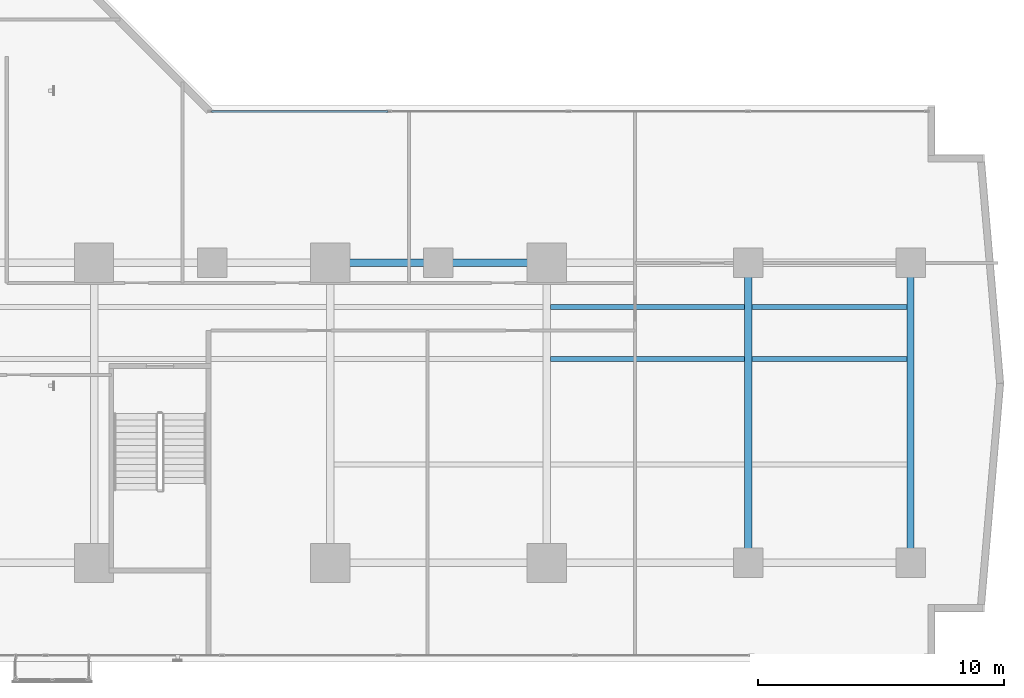
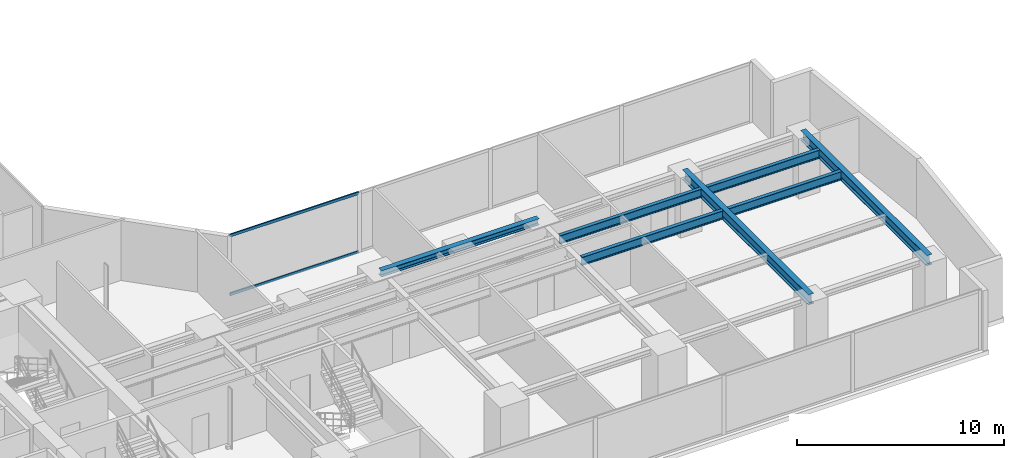
# One storey, part 12 of 26: 7 beams, 2 members, 1 element without a shape of its own.
"""IFC4 building model written with IfcOpenShell, lengths in metres."""

from ifc_helpers import new_model, si_unit, direction, frame, origin, origin_with_axes, origin_2d, place, context, subcontext, project, spatial, hollow_rectangle, i_section, extrude, source, transform, mapped, material, layer, layer_set, material_profile, profile_set, type_object, element, aggregate, save


model = new_model("IFC4")

# Units and contexts
model_context = context("Model", 3, precision=1e-05, world=origin(), true_north=direction((0.0, 1.0)))
body_context = subcontext(model_context, "Body", "Model", "MODEL_VIEW")
ifc_project = project(units=[si_unit("LENGTHUNIT", "METRE"), si_unit("AREAUNIT", "SQUARE_METRE"), si_unit("VOLUMEUNIT", "CUBIC_METRE"), si_unit("PLANEANGLEUNIT", "RADIAN"), si_unit("MASSUNIT", "GRAM", prefix="KILO")], contexts=[model_context])

# Site, building, storey
site_placement = place(None, origin())
site = spatial("IfcSite", under=ifc_project, at=site_placement, CompositionType="ELEMENT")
building_placement = place(site_placement, origin())
building = spatial("IfcBuilding", under=site, at=building_placement, Name="Kolvaren Waterfront Exchange", CompositionType="ELEMENT")
storey_placement = place(building_placement, frame((0.0, 0.0, 44.800048828125)))
storey = spatial("IfcBuildingStorey", under=building, at=storey_placement, Name="L11", CompositionType="ELEMENT", Elevation=44.800048828125)

# Beams
ifc_material_1 = material(Name="Steel S355", Category="steel")
ifc_material_profile_1 = material_profile(ifc_material_1, i_section(OverallWidth=0.300048828125, OverallDepth=0.360107421875, WebThickness=0.012451171875, FlangeThickness=0.0224609375, FilletRadius=0.027099609375, at=origin_2d()), Name="HEB360")
ifc_profile_set_1 = profile_set([ifc_material_profile_1], Name="Steel S355")
beam_type_1 = type_object("IfcBeamType", Name="STR-BM-HEB360", PredefinedType="SPANDREL", material=ifc_profile_set_1)
beam_placement = place(storey_placement, frame((36.800048828125, 17.39990234375, 3.35986328125), z_axis=(1.0, 0.0, 0.0), x_axis=(0.0, 1.0, 0.0)))
element("IfcBeam", 1, at=beam_placement, inside=storey, type_object=beam_type_1, Name="L11 east-arm spandrel N3", PredefinedType="SPANDREL", context=body_context, shape_type="SweptSolid", body=[
    extrude(i_section(OverallWidth=0.300048828125, OverallDepth=0.360107421875, WebThickness=0.012451171875, FlangeThickness=0.0224609375, FilletRadius=0.027099609375, at=origin_2d()), origin(), (0.0, 0.0, 1.0), 8.800048828125),
])
ifc_material_profile_2 = material_profile(ifc_material_1, i_section(OverallWidth=0.300048828125, OverallDepth=0.60009765625, WebThickness=0.015380859375, FlangeThickness=0.030029296875, FilletRadius=0.027099609375, at=origin_2d()), Name="HEB600")
ifc_profile_set_2 = profile_set([ifc_material_profile_2], Name="Steel S355")
beam_type_2 = type_object("IfcBeamType", Name="STR-BM-HEB600", PredefinedType="BEAM", material=ifc_profile_set_2)
for number, where, z_axis, x_axis, name in (
    (2, (53.800048828125, 5.199951171875, 3.239990234375), (0.0, 1.0, 0.0), (-1.0, 0.0, 0.0), "L11 east-arm transverse girder X53"),
    (3, (60.39990234375, 5.199951171875, 3.239990234375), (0.0, 1.0, 0.0), (-1.0, 0.0, 0.0), "L11 east-arm transverse girder X60"),
):
    element("IfcBeam", number, at=place(storey_placement, frame(where, z_axis=z_axis, x_axis=x_axis)), inside=storey, type_object=beam_type_2, Name=name, PredefinedType="BEAM", context=body_context, shape_type="SweptSolid", body=[
        extrude(i_section(OverallWidth=0.300048828125, OverallDepth=0.60009765625, WebThickness=0.015380859375, FlangeThickness=0.030029296875, FilletRadius=0.027099609375, at=origin_2d()), origin(), (0.0, 0.0, 1.0), 12.199951171875),
    ])
ifc_material_profile_3 = material_profile(ifc_material_1, i_section(OverallWidth=0.199951171875, OverallDepth=0.5, WebThickness=0.01025390625, FlangeThickness=0.01611328125, FilletRadius=0.02099609375, at=origin_2d()), Name="IPE500")
ifc_profile_set_3 = profile_set([ifc_material_profile_3], Name="Steel S355")
beam_type_3 = type_object("IfcBeamType", Name="STR-BM-IPE500", PredefinedType="JOIST", material=ifc_profile_set_3)
for number, where, z_axis, x_axis, name in (
    (4, (45.751953125, 13.5, 3.2900390625), (1.0, 0.0, 0.0), (0.0, 1.0, 0.0), "L11 east-arm composite joist 4A"),
    (5, (45.751953125, 15.60009765625, 3.2900390625), (1.0, 0.0, 0.0), (0.0, 1.0, 0.0), "L11 east-arm composite joist 4C"),
):
    element("IfcBeam", number, at=place(storey_placement, frame(where, z_axis=z_axis, x_axis=x_axis)), inside=storey, type_object=beam_type_3, Name=name, PredefinedType="JOIST", context=body_context, shape_type="SweptSolid", body=[
        extrude(i_section(OverallWidth=0.199951171875, OverallDepth=0.5, WebThickness=0.01025390625, FlangeThickness=0.01611328125, FilletRadius=0.02099609375, at=origin_2d()), origin(), (0.0, 0.0, 1.0), 7.89599609375),
    ])
for number, where, z_axis, x_axis, name in (
    (6, (53.951904296875, 13.5, 3.2900390625), (1.0, 0.0, 0.0), (0.0, 1.0, 0.0), "L11 east-arm composite joist 5A"),
    (7, (53.951904296875, 15.60009765625, 3.2900390625), (1.0, 0.0, 0.0), (0.0, 1.0, 0.0), "L11 east-arm composite joist 5C"),
):
    element("IfcBeam", number, at=place(storey_placement, frame(where, z_axis=z_axis, x_axis=x_axis)), inside=storey, type_object=beam_type_3, Name=name, PredefinedType="JOIST", context=body_context, shape_type="SweptSolid", body=[
        extrude(i_section(OverallWidth=0.199951171875, OverallDepth=0.5, WebThickness=0.01025390625, FlangeThickness=0.01611328125, FilletRadius=0.02099609375, at=origin_2d()), origin(), (0.0, 0.0, 1.0), 6.296142578125),
    ])

# Curtain wall, members
ifc_material_2 = material(Name="Anodised bronze aluminium 6063-T6", Category="aluminium")
ifc_layer = layer(ifc_material_2, 0.219970703125, Name="Anodised bronze aluminium 6063-T6")
ifc_layer_set = layer_set([ifc_layer], Name="Anodised bronze aluminium 6063-T6")
curtain_wall_type = type_object("IfcCurtainWallType", Name="ARC-CW-SYS1", PredefinedType="USERDEFINED", material=ifc_layer_set)
curtain_wall_placement = place(storey_placement, origin())
curtain_wall = element("IfcCurtainWall", 8, at=curtain_wall_placement, inside=storey, type_object=curtain_wall_type, Name="L11 stick curtain wall CW1 (CW-L11-EN)", ObjectType="STICK CURTAIN WALL", PredefinedType="USERDEFINED")
ifc_material_3 = material(Name="Anodised aluminium 6063-T6", Category="aluminium")
ifc_material_profile_4 = material_profile(ifc_material_3, hollow_rectangle(XDim=0.074951171875, YDim=0.159912109375, WallThickness=0.00439453125, at=origin_2d()), Name="ALU-TRN-160x75x4.5")
ifc_profile_set_4 = profile_set([ifc_material_profile_4], Name="Anodised aluminium 6063-T6")
member_type = type_object("IfcMemberType", Name="ARC-CWT-160", PredefinedType="USERDEFINED", material=ifc_profile_set_4)
shared_shape = source(origin_with_axes(), body_context, "Body", "SweptSolid", [
    extrude(hollow_rectangle(XDim=0.074951171875, YDim=0.159912109375, WallThickness=0.00439453125, at=origin_2d()), origin(), (0.0, 0.0, 1.0), 7.1826171875),
])
member_1_placement = place(storey_placement, frame((31.969970703125, 23.56005859375, 0.037353515625), z_axis=(1.0, 0.0, 0.0), x_axis=(0.0, 1.0, 0.0)))
member_1 = element("IfcMember", 9, at=member_1_placement, type_object=member_type, Name="CW1 transom 1.1", ObjectType="TRANSOM", PredefinedType="USERDEFINED", context=body_context, shape_type="MappedRepresentation", body=[
    mapped(shared_shape, transform((0.0, 0.0, 0.0), x_axis=(1.0, 0.0, 0.0), y_axis=(0.0, 1.0, 0.0), z_axis=(0.0, 0.0, 1.0), scale=1.0)),
])
member_2_placement = place(storey_placement, frame((31.969970703125, 23.56005859375, 3.50244140625), z_axis=(1.0, 0.0, 0.0), x_axis=(0.0, 1.0, 0.0)))
member_2 = element("IfcMember", 10, at=member_2_placement, type_object=member_type, Name="CW1 transom 1.2", ObjectType="TRANSOM", PredefinedType="USERDEFINED", context=body_context, shape_type="MappedRepresentation", body=[
    mapped(shared_shape, transform((0.0, 0.0, 0.0), x_axis=(1.0, 0.0, 0.0), y_axis=(0.0, 1.0, 0.0), z_axis=(0.0, 0.0, 1.0), scale=1.0)),
])
aggregate(curtain_wall, [member_1, member_2])

save(model, "model.ifc")
